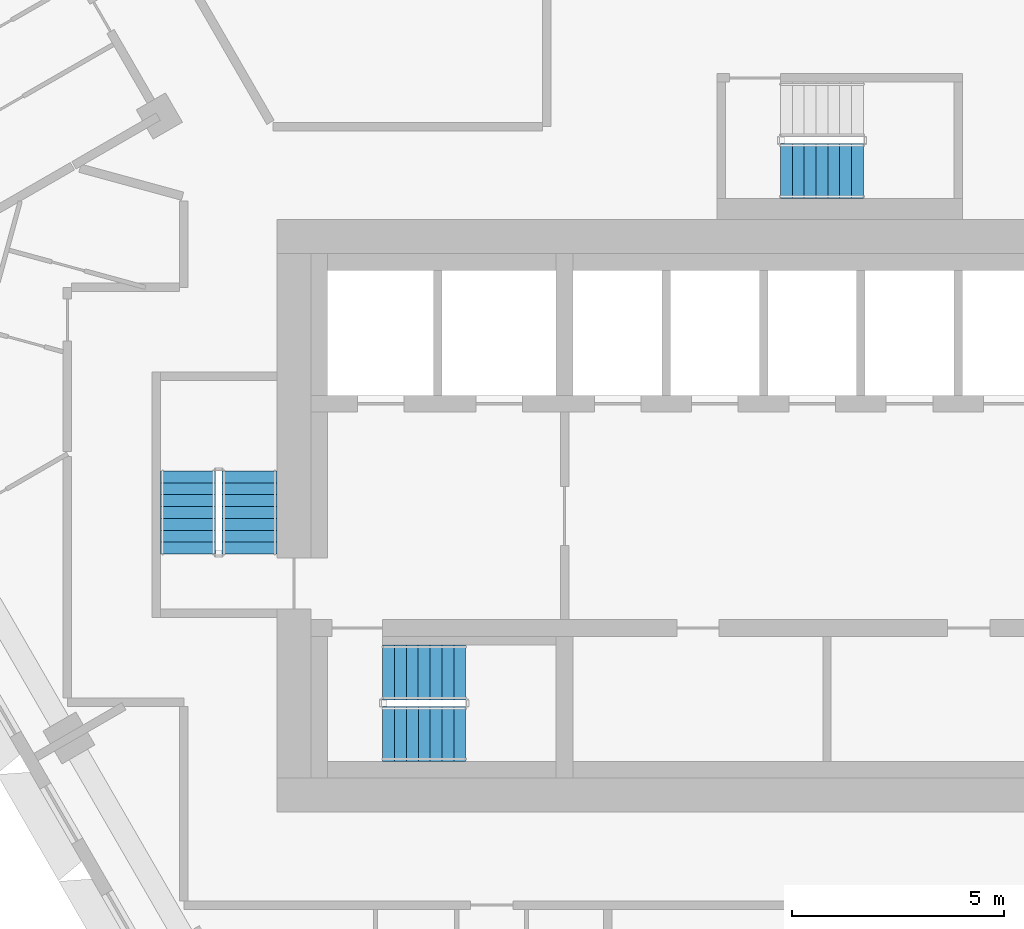
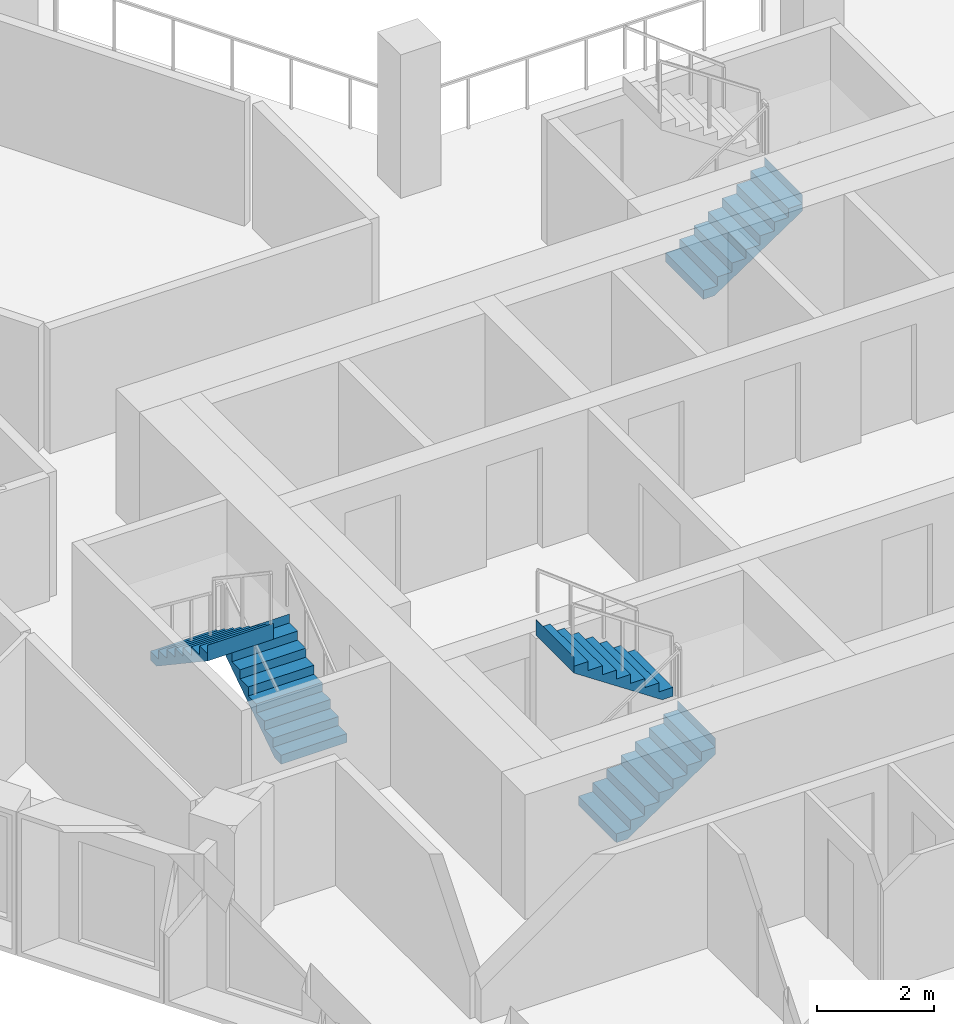
# One storey, part 12 of 17: 5 stair flights, 3 elements without a shape of their own.
"""IFC4 building model written with IfcOpenShell, lengths in metres."""

from ifc_helpers import new_model, si_unit, direction, frame, origin, place, context, subcontext, project, spatial, triangles, material, type_object, element, aggregate, save


model = new_model("IFC4")

# Units and contexts
model_context = context("Model", 3, precision=1e-05, world=origin(), true_north=direction((0.0, 1.0)))
body_context = subcontext(model_context, "Body", "Model", "MODEL_VIEW")
ifc_project = project(units=[si_unit("LENGTHUNIT", "METRE"), si_unit("AREAUNIT", "SQUARE_METRE"), si_unit("VOLUMEUNIT", "CUBIC_METRE"), si_unit("PLANEANGLEUNIT", "RADIAN"), si_unit("MASSUNIT", "GRAM", prefix="KILO")], contexts=[model_context])

# Site, building, storey
site_placement = place(None, origin())
site = spatial("IfcSite", under=ifc_project, at=site_placement, CompositionType="ELEMENT")
building_placement = place(site_placement, origin())
building = spatial("IfcBuilding", under=site, at=building_placement, Name="Beryl Residences", CompositionType="ELEMENT")
storey_placement = place(building_placement, frame((0.0, 0.0, 150.60009765625)))
storey = spatial("IfcBuildingStorey", under=building, at=storey_placement, Name="L46", CompositionType="ELEMENT", Elevation=150.60009765625)

# Stair, stair flights
ifc_material_1 = material(Name="Concrete C40/50", Category="concrete")
stair_type = type_object("IfcStairType", Name="ST1 protected exit stair, half-turn, 1300 mm flights", PredefinedType="HALF_TURN_STAIR", material=ifc_material_1)
stair_1_placement = place(storey_placement, origin())
stair_1 = element("IfcStair", 1, at=stair_1_placement, inside=storey, type_object=stair_type, Name="L46 PROTECTED EXIT STAIR ST-1", PredefinedType="HALF_TURN_STAIR")
ifc_material_2 = material(Name="Concrete C40/50", Category="concrete")
stair_flight_type = type_object("IfcStairFlightType", Name="SF1 stair flight 1300 mm", PredefinedType="STRAIGHT", material=ifc_material_2)
stair_flight_1_placement = place(storey_placement, frame((-10.800048828125, -17.14990234375, 0.0), z_axis=(0.0, 0.0, 1.0), x_axis=(1.0, 0.0, 0.0)))
stair_flight_1 = element("IfcStairFlight", 2, at=stair_flight_1_placement, type_object=stair_flight_type, Name="ST-1 flight 1", NumberOfRisers=8, NumberOfTreads=7, PredefinedType="STRAIGHT", RiserHeight=0.1875, TreadLength=0.28, context=body_context, shape_type="Tessellation", body=[
    triangles([(0.0, -0.64990234375, 0.0), (0.0, -0.324951171875, 0.0), (0.0, 0.0, 0.0), (0.0, 0.324951171875, 0.0), (0.0, 0.64990234375, 0.0), (0.0, -0.64990234375, 0.1875), (0.0, -0.324951171875, 0.1875), (0.0, 0.0, 0.1875), (0.0, 0.324951171875, 0.1875), (0.0, 0.64990234375, 0.1875), (0.280029296875, -0.64990234375, 0.1875), (0.280029296875, -0.324951171875, 0.1875), (0.280029296875, 0.0, 0.1875), (0.280029296875, 0.324951171875, 0.1875), (0.280029296875, 0.64990234375, 0.1875), (0.280029296875, -0.64990234375, 0.375), (0.280029296875, -0.324951171875, 0.375), (0.280029296875, 0.0, 0.375), (0.280029296875, 0.324951171875, 0.375), (0.280029296875, 0.64990234375, 0.375), (0.56005859375, -0.64990234375, 0.375), (0.56005859375, -0.324951171875, 0.375), (0.56005859375, 0.0, 0.375), (0.56005859375, 0.324951171875, 0.375), (0.56005859375, 0.64990234375, 0.375), (0.56005859375, -0.64990234375, 0.5625), (0.56005859375, -0.324951171875, 0.5625), (0.56005859375, 0.0, 0.5625), (0.56005859375, 0.324951171875, 0.5625), (0.56005859375, 0.64990234375, 0.5625), (0.840087890625, -0.64990234375, 0.5625), (0.840087890625, -0.324951171875, 0.5625), (0.840087890625, 0.0, 0.5625), (0.840087890625, 0.324951171875, 0.5625), (0.840087890625, 0.64990234375, 0.5625), (0.840087890625, -0.64990234375, 0.75), (0.840087890625, -0.324951171875, 0.75), (0.840087890625, 0.0, 0.75), (0.840087890625, 0.324951171875, 0.75), (0.840087890625, 0.64990234375, 0.75), (1.1201171875, -0.64990234375, 0.75), (1.1201171875, -0.324951171875, 0.75), (1.1201171875, 0.0, 0.75), (1.1201171875, 0.324951171875, 0.75), (1.1201171875, 0.64990234375, 0.75), (1.1201171875, -0.64990234375, 0.9375), (1.1201171875, -0.324951171875, 0.9375), (1.1201171875, 0.0, 0.9375), (1.1201171875, 0.324951171875, 0.9375), (1.1201171875, 0.64990234375, 0.9375), (1.39990234375, -0.64990234375, 0.9375), (1.39990234375, -0.324951171875, 0.9375), (1.39990234375, 0.0, 0.9375), (1.39990234375, 0.324951171875, 0.9375), (1.39990234375, 0.64990234375, 0.9375), (1.39990234375, -0.64990234375, 1.125), (1.39990234375, -0.324951171875, 1.125), (1.39990234375, 0.0, 1.125), (1.39990234375, 0.324951171875, 1.125), (1.39990234375, 0.64990234375, 1.125), (1.679931640625, -0.64990234375, 1.125), (1.679931640625, -0.324951171875, 1.125), (1.679931640625, 0.0, 1.125), (1.679931640625, 0.324951171875, 1.125), (1.679931640625, 0.64990234375, 1.125), (1.679931640625, -0.64990234375, 1.3125), (1.679931640625, -0.324951171875, 1.3125), (1.679931640625, 0.0, 1.3125), (1.679931640625, 0.324951171875, 1.3125), (1.679931640625, 0.64990234375, 1.3125), (1.9599609375, -0.64990234375, 1.3125), (1.9599609375, -0.324951171875, 1.3125), (1.9599609375, 0.0, 1.3125), (1.9599609375, 0.324951171875, 1.3125), (1.9599609375, 0.64990234375, 1.3125), (1.9599609375, -0.64990234375, 1.5), (1.9599609375, -0.324951171875, 1.5), (1.9599609375, 0.0, 1.5), (1.9599609375, 0.324951171875, 1.5), (1.9599609375, 0.64990234375, 1.5), (1.9609375, -0.64990234375, 1.5), (1.9609375, -0.324951171875, 1.5), (1.9609375, 0.0, 1.5), (1.9609375, 0.324951171875, 1.5), (1.9609375, 0.64990234375, 1.5), (1.9609375, -0.64990234375, 1.16796875), (1.9609375, -0.324951171875, 1.16796875), (1.9609375, 0.0, 1.16796875), (1.9609375, 0.324951171875, 1.16796875), (1.9609375, 0.64990234375, 1.16796875), (0.216796875, -0.64990234375, 0.0), (0.216796875, -0.324951171875, 0.0), (0.216796875, 0.0, 0.0), (0.216796875, 0.324951171875, 0.0), (0.216796875, 0.64990234375, 0.0)], [[1, 6, 7], [1, 7, 2], [2, 7, 8], [2, 8, 3], [3, 8, 9], [3, 9, 4], [4, 9, 10], [4, 10, 5], [6, 11, 12], [6, 12, 7], [7, 12, 13], [7, 13, 8], [8, 13, 14], [8, 14, 9], [9, 14, 15], [9, 15, 10], [11, 16, 17], [11, 17, 12], [12, 17, 18], [12, 18, 13], [13, 18, 19], [13, 19, 14], [14, 19, 20], [14, 20, 15], [16, 21, 22], [16, 22, 17], [17, 22, 23], [17, 23, 18], [18, 23, 24], [18, 24, 19], [19, 24, 25], [19, 25, 20], [21, 26, 27], [21, 27, 22], [22, 27, 28], [22, 28, 23], [23, 28, 29], [23, 29, 24], [24, 29, 30], [24, 30, 25], [26, 31, 32], [26, 32, 27], [27, 32, 33], [27, 33, 28], [28, 33, 34], [28, 34, 29], [29, 34, 35], [29, 35, 30], [31, 36, 37], [31, 37, 32], [32, 37, 38], [32, 38, 33], [33, 38, 39], [33, 39, 34], [34, 39, 40], [34, 40, 35], [36, 41, 42], [36, 42, 37], [37, 42, 43], [37, 43, 38], [38, 43, 44], [38, 44, 39], [39, 44, 45], [39, 45, 40], [41, 46, 47], [41, 47, 42], [42, 47, 48], [42, 48, 43], [43, 48, 49], [43, 49, 44], [44, 49, 50], [44, 50, 45], [46, 51, 52], [46, 52, 47], [47, 52, 53], [47, 53, 48], [48, 53, 54], [48, 54, 49], [49, 54, 55], [49, 55, 50], [51, 56, 57], [51, 57, 52], [52, 57, 58], [52, 58, 53], [53, 58, 59], [53, 59, 54], [54, 59, 60], [54, 60, 55], [56, 61, 62], [56, 62, 57], [57, 62, 63], [57, 63, 58], [58, 63, 64], [58, 64, 59], [59, 64, 65], [59, 65, 60], [61, 66, 67], [61, 67, 62], [62, 67, 68], [62, 68, 63], [63, 68, 69], [63, 69, 64], [64, 69, 70], [64, 70, 65], [66, 71, 72], [66, 72, 67], [67, 72, 73], [67, 73, 68], [68, 73, 74], [68, 74, 69], [69, 74, 75], [69, 75, 70], [71, 76, 77], [71, 77, 72], [72, 77, 78], [72, 78, 73], [73, 78, 79], [73, 79, 74], [74, 79, 80], [74, 80, 75], [76, 81, 82], [76, 82, 77], [77, 82, 83], [77, 83, 78], [78, 83, 84], [78, 84, 79], [79, 84, 85], [79, 85, 80], [81, 86, 87], [81, 87, 82], [82, 87, 88], [82, 88, 83], [83, 88, 89], [83, 89, 84], [84, 89, 90], [84, 90, 85], [86, 91, 92], [86, 92, 87], [87, 92, 93], [87, 93, 88], [88, 93, 94], [88, 94, 89], [89, 94, 95], [89, 95, 90], [91, 1, 2], [91, 2, 92], [92, 2, 3], [92, 3, 93], [93, 3, 4], [93, 4, 94], [94, 4, 5], [94, 5, 95], [1, 91, 86], [5, 90, 95], [86, 81, 76], [90, 80, 85], [86, 76, 71], [90, 75, 80], [86, 71, 66], [90, 70, 75], [86, 66, 61], [90, 65, 70], [61, 56, 51], [65, 55, 60], [86, 61, 51], [90, 55, 65], [51, 46, 41], [55, 45, 50], [86, 51, 41], [90, 45, 55], [41, 36, 31], [45, 35, 40], [86, 41, 31], [90, 35, 45], [31, 26, 21], [35, 25, 30], [86, 31, 21], [90, 25, 35], [21, 16, 11], [25, 15, 20], [86, 21, 11], [90, 15, 25], [1, 86, 11], [5, 15, 90], [11, 6, 1], [15, 5, 10]], closed=True),
])
stair_flight_2_placement = place(storey_placement, frame((-8.840087890625, -15.699951171875, 1.5), z_axis=(0.0, 0.0, 1.0), x_axis=(-1.0, 0.0, 0.0)))
stair_flight_2 = element("IfcStairFlight", 3, at=stair_flight_2_placement, type_object=stair_flight_type, Name="ST-1 flight 2", NumberOfRisers=8, NumberOfTreads=7, PredefinedType="STRAIGHT", RiserHeight=0.1875, TreadLength=0.28, context=body_context, shape_type="Tessellation", body=[
    triangles([(0.0, -0.64990234375, 0.0), (0.0, -0.324951171875, 0.0), (0.0, 0.0, 0.0), (0.0, 0.324951171875, 0.0), (0.0, 0.64990234375, 0.0), (0.0, -0.64990234375, 0.1875), (0.0, -0.324951171875, 0.1875), (0.0, 0.0, 0.1875), (0.0, 0.324951171875, 0.1875), (0.0, 0.64990234375, 0.1875), (0.280029296875, -0.64990234375, 0.1875), (0.280029296875, -0.324951171875, 0.1875), (0.280029296875, 0.0, 0.1875), (0.280029296875, 0.324951171875, 0.1875), (0.280029296875, 0.64990234375, 0.1875), (0.280029296875, -0.64990234375, 0.375), (0.280029296875, -0.324951171875, 0.375), (0.280029296875, 0.0, 0.375), (0.280029296875, 0.324951171875, 0.375), (0.280029296875, 0.64990234375, 0.375), (0.56005859375, -0.64990234375, 0.375), (0.56005859375, -0.324951171875, 0.375), (0.56005859375, 0.0, 0.375), (0.56005859375, 0.324951171875, 0.375), (0.56005859375, 0.64990234375, 0.375), (0.56005859375, -0.64990234375, 0.5625), (0.56005859375, -0.324951171875, 0.5625), (0.56005859375, 0.0, 0.5625), (0.56005859375, 0.324951171875, 0.5625), (0.56005859375, 0.64990234375, 0.5625), (0.840087890625, -0.64990234375, 0.5625), (0.840087890625, -0.324951171875, 0.5625), (0.840087890625, 0.0, 0.5625), (0.840087890625, 0.324951171875, 0.5625), (0.840087890625, 0.64990234375, 0.5625), (0.840087890625, -0.64990234375, 0.75), (0.840087890625, -0.324951171875, 0.75), (0.840087890625, 0.0, 0.75), (0.840087890625, 0.324951171875, 0.75), (0.840087890625, 0.64990234375, 0.75), (1.1201171875, -0.64990234375, 0.75), (1.1201171875, -0.324951171875, 0.75), (1.1201171875, 0.0, 0.75), (1.1201171875, 0.324951171875, 0.75), (1.1201171875, 0.64990234375, 0.75), (1.1201171875, -0.64990234375, 0.9375), (1.1201171875, -0.324951171875, 0.9375), (1.1201171875, 0.0, 0.9375), (1.1201171875, 0.324951171875, 0.9375), (1.1201171875, 0.64990234375, 0.9375), (1.39990234375, -0.64990234375, 0.9375), (1.39990234375, -0.324951171875, 0.9375), (1.39990234375, 0.0, 0.9375), (1.39990234375, 0.324951171875, 0.9375), (1.39990234375, 0.64990234375, 0.9375), (1.39990234375, -0.64990234375, 1.125), (1.39990234375, -0.324951171875, 1.125), (1.39990234375, 0.0, 1.125), (1.39990234375, 0.324951171875, 1.125), (1.39990234375, 0.64990234375, 1.125), (1.679931640625, -0.64990234375, 1.125), (1.679931640625, -0.324951171875, 1.125), (1.679931640625, 0.0, 1.125), (1.679931640625, 0.324951171875, 1.125), (1.679931640625, 0.64990234375, 1.125), (1.679931640625, -0.64990234375, 1.3125), (1.679931640625, -0.324951171875, 1.3125), (1.679931640625, 0.0, 1.3125), (1.679931640625, 0.324951171875, 1.3125), (1.679931640625, 0.64990234375, 1.3125), (1.9599609375, -0.64990234375, 1.3125), (1.9599609375, -0.324951171875, 1.3125), (1.9599609375, 0.0, 1.3125), (1.9599609375, 0.324951171875, 1.3125), (1.9599609375, 0.64990234375, 1.3125), (1.9599609375, -0.64990234375, 1.5), (1.9599609375, -0.324951171875, 1.5), (1.9599609375, 0.0, 1.5), (1.9599609375, 0.324951171875, 1.5), (1.9599609375, 0.64990234375, 1.5), (1.9609375, -0.64990234375, 1.5), (1.9609375, -0.324951171875, 1.5), (1.9609375, 0.0, 1.5), (1.9609375, 0.324951171875, 1.5), (1.9609375, 0.64990234375, 1.5), (1.9609375, -0.64990234375, 1.16796875), (1.9609375, -0.324951171875, 1.16796875), (1.9609375, 0.0, 1.16796875), (1.9609375, 0.324951171875, 1.16796875), (1.9609375, 0.64990234375, 1.16796875), (0.216796875, -0.64990234375, 0.0), (0.216796875, -0.324951171875, 0.0), (0.216796875, 0.0, 0.0), (0.216796875, 0.324951171875, 0.0), (0.216796875, 0.64990234375, 0.0)], [[1, 6, 7], [1, 7, 2], [2, 7, 8], [2, 8, 3], [3, 8, 9], [3, 9, 4], [4, 9, 10], [4, 10, 5], [6, 11, 12], [6, 12, 7], [7, 12, 13], [7, 13, 8], [8, 13, 14], [8, 14, 9], [9, 14, 15], [9, 15, 10], [11, 16, 17], [11, 17, 12], [12, 17, 18], [12, 18, 13], [13, 18, 19], [13, 19, 14], [14, 19, 20], [14, 20, 15], [16, 21, 22], [16, 22, 17], [17, 22, 23], [17, 23, 18], [18, 23, 24], [18, 24, 19], [19, 24, 25], [19, 25, 20], [21, 26, 27], [21, 27, 22], [22, 27, 28], [22, 28, 23], [23, 28, 29], [23, 29, 24], [24, 29, 30], [24, 30, 25], [26, 31, 32], [26, 32, 27], [27, 32, 33], [27, 33, 28], [28, 33, 34], [28, 34, 29], [29, 34, 35], [29, 35, 30], [31, 36, 37], [31, 37, 32], [32, 37, 38], [32, 38, 33], [33, 38, 39], [33, 39, 34], [34, 39, 40], [34, 40, 35], [36, 41, 42], [36, 42, 37], [37, 42, 43], [37, 43, 38], [38, 43, 44], [38, 44, 39], [39, 44, 45], [39, 45, 40], [41, 46, 47], [41, 47, 42], [42, 47, 48], [42, 48, 43], [43, 48, 49], [43, 49, 44], [44, 49, 50], [44, 50, 45], [46, 51, 52], [46, 52, 47], [47, 52, 53], [47, 53, 48], [48, 53, 54], [48, 54, 49], [49, 54, 55], [49, 55, 50], [51, 56, 57], [51, 57, 52], [52, 57, 58], [52, 58, 53], [53, 58, 59], [53, 59, 54], [54, 59, 60], [54, 60, 55], [56, 61, 62], [56, 62, 57], [57, 62, 63], [57, 63, 58], [58, 63, 64], [58, 64, 59], [59, 64, 65], [59, 65, 60], [61, 66, 67], [61, 67, 62], [62, 67, 68], [62, 68, 63], [63, 68, 69], [63, 69, 64], [64, 69, 70], [64, 70, 65], [66, 71, 72], [66, 72, 67], [67, 72, 73], [67, 73, 68], [68, 73, 74], [68, 74, 69], [69, 74, 75], [69, 75, 70], [71, 76, 77], [71, 77, 72], [72, 77, 78], [72, 78, 73], [73, 78, 79], [73, 79, 74], [74, 79, 80], [74, 80, 75], [76, 81, 82], [76, 82, 77], [77, 82, 83], [77, 83, 78], [78, 83, 84], [78, 84, 79], [79, 84, 85], [79, 85, 80], [81, 86, 87], [81, 87, 82], [82, 87, 88], [82, 88, 83], [83, 88, 89], [83, 89, 84], [84, 89, 90], [84, 90, 85], [86, 91, 92], [86, 92, 87], [87, 92, 93], [87, 93, 88], [88, 93, 94], [88, 94, 89], [89, 94, 95], [89, 95, 90], [91, 1, 2], [91, 2, 92], [92, 2, 3], [92, 3, 93], [93, 3, 4], [93, 4, 94], [94, 4, 5], [94, 5, 95], [1, 91, 86], [5, 90, 95], [86, 81, 76], [90, 80, 85], [86, 76, 71], [90, 75, 80], [86, 71, 66], [90, 70, 75], [86, 66, 61], [90, 65, 70], [61, 56, 51], [65, 55, 60], [86, 61, 51], [90, 55, 65], [51, 46, 41], [55, 45, 50], [86, 51, 41], [90, 45, 55], [41, 36, 31], [45, 35, 40], [86, 41, 31], [90, 35, 45], [31, 26, 21], [35, 25, 30], [86, 31, 21], [90, 25, 35], [21, 16, 11], [25, 15, 20], [86, 21, 11], [90, 15, 25], [1, 86, 11], [5, 15, 90], [11, 6, 1], [15, 5, 10]], closed=True),
])
aggregate(stair_1, [stair_flight_1, stair_flight_2])

stair_2_placement = place(storey_placement, origin())
stair_2 = element("IfcStair", 4, at=stair_2_placement, inside=storey, type_object=stair_type, Name="L46 PROTECTED EXIT STAIR ST-2", PredefinedType="HALF_TURN_STAIR")
stair_flight_3_placement = place(storey_placement, frame((-13.949951171875, -12.89990234375, 0.0), z_axis=(0.0, 0.0, 1.0), x_axis=(0.0, 1.0, 0.0)))
stair_flight_3 = element("IfcStairFlight", 5, at=stair_flight_3_placement, type_object=stair_flight_type, Name="ST-2 flight 1", NumberOfRisers=8, NumberOfTreads=7, PredefinedType="STRAIGHT", RiserHeight=0.1875, TreadLength=0.28, context=body_context, shape_type="Tessellation", body=[
    triangles([(0.0, -0.64990234375, 0.0), (0.0, -0.324951171875, 0.0), (0.0, 0.0, 0.0), (0.0, 0.324951171875, 0.0), (0.0, 0.64990234375, 0.0), (0.0, -0.64990234375, 0.1875), (0.0, -0.324951171875, 0.1875), (0.0, 0.0, 0.1875), (0.0, 0.324951171875, 0.1875), (0.0, 0.64990234375, 0.1875), (0.280029296875, -0.64990234375, 0.1875), (0.280029296875, -0.324951171875, 0.1875), (0.280029296875, 0.0, 0.1875), (0.280029296875, 0.324951171875, 0.1875), (0.280029296875, 0.64990234375, 0.1875), (0.280029296875, -0.64990234375, 0.375), (0.280029296875, -0.324951171875, 0.375), (0.280029296875, 0.0, 0.375), (0.280029296875, 0.324951171875, 0.375), (0.280029296875, 0.64990234375, 0.375), (0.56005859375, -0.64990234375, 0.375), (0.56005859375, -0.324951171875, 0.375), (0.56005859375, 0.0, 0.375), (0.56005859375, 0.324951171875, 0.375), (0.56005859375, 0.64990234375, 0.375), (0.56005859375, -0.64990234375, 0.5625), (0.56005859375, -0.324951171875, 0.5625), (0.56005859375, 0.0, 0.5625), (0.56005859375, 0.324951171875, 0.5625), (0.56005859375, 0.64990234375, 0.5625), (0.840087890625, -0.64990234375, 0.5625), (0.840087890625, -0.324951171875, 0.5625), (0.840087890625, 0.0, 0.5625), (0.840087890625, 0.324951171875, 0.5625), (0.840087890625, 0.64990234375, 0.5625), (0.840087890625, -0.64990234375, 0.75), (0.840087890625, -0.324951171875, 0.75), (0.840087890625, 0.0, 0.75), (0.840087890625, 0.324951171875, 0.75), (0.840087890625, 0.64990234375, 0.75), (1.1201171875, -0.64990234375, 0.75), (1.1201171875, -0.324951171875, 0.75), (1.1201171875, 0.0, 0.75), (1.1201171875, 0.324951171875, 0.75), (1.1201171875, 0.64990234375, 0.75), (1.1201171875, -0.64990234375, 0.9375), (1.1201171875, -0.324951171875, 0.9375), (1.1201171875, 0.0, 0.9375), (1.1201171875, 0.324951171875, 0.9375), (1.1201171875, 0.64990234375, 0.9375), (1.39990234375, -0.64990234375, 0.9375), (1.39990234375, -0.324951171875, 0.9375), (1.39990234375, 0.0, 0.9375), (1.39990234375, 0.324951171875, 0.9375), (1.39990234375, 0.64990234375, 0.9375), (1.39990234375, -0.64990234375, 1.125), (1.39990234375, -0.324951171875, 1.125), (1.39990234375, 0.0, 1.125), (1.39990234375, 0.324951171875, 1.125), (1.39990234375, 0.64990234375, 1.125), (1.679931640625, -0.64990234375, 1.125), (1.679931640625, -0.324951171875, 1.125), (1.679931640625, 0.0, 1.125), (1.679931640625, 0.324951171875, 1.125), (1.679931640625, 0.64990234375, 1.125), (1.679931640625, -0.64990234375, 1.3125), (1.679931640625, -0.324951171875, 1.3125), (1.679931640625, 0.0, 1.3125), (1.679931640625, 0.324951171875, 1.3125), (1.679931640625, 0.64990234375, 1.3125), (1.9599609375, -0.64990234375, 1.3125), (1.9599609375, -0.324951171875, 1.3125), (1.9599609375, 0.0, 1.3125), (1.9599609375, 0.324951171875, 1.3125), (1.9599609375, 0.64990234375, 1.3125), (1.9599609375, -0.64990234375, 1.5), (1.9599609375, -0.324951171875, 1.5), (1.9599609375, 0.0, 1.5), (1.9599609375, 0.324951171875, 1.5), (1.9599609375, 0.64990234375, 1.5), (1.9609375, -0.64990234375, 1.5), (1.9609375, -0.324951171875, 1.5), (1.9609375, 0.0, 1.5), (1.9609375, 0.324951171875, 1.5), (1.9609375, 0.64990234375, 1.5), (1.9609375, -0.64990234375, 1.16796875), (1.9609375, -0.324951171875, 1.16796875), (1.9609375, 0.0, 1.16796875), (1.9609375, 0.324951171875, 1.16796875), (1.9609375, 0.64990234375, 1.16796875), (0.216796875, -0.64990234375, 0.0), (0.216796875, -0.324951171875, 0.0), (0.216796875, 0.0, 0.0), (0.216796875, 0.324951171875, 0.0), (0.216796875, 0.64990234375, 0.0)], [[1, 6, 7], [1, 7, 2], [2, 7, 8], [2, 8, 3], [3, 8, 9], [3, 9, 4], [4, 9, 10], [4, 10, 5], [6, 11, 12], [6, 12, 7], [7, 12, 13], [7, 13, 8], [8, 13, 14], [8, 14, 9], [9, 14, 15], [9, 15, 10], [11, 16, 17], [11, 17, 12], [12, 17, 18], [12, 18, 13], [13, 18, 19], [13, 19, 14], [14, 19, 20], [14, 20, 15], [16, 21, 22], [16, 22, 17], [17, 22, 23], [17, 23, 18], [18, 23, 24], [18, 24, 19], [19, 24, 25], [19, 25, 20], [21, 26, 27], [21, 27, 22], [22, 27, 28], [22, 28, 23], [23, 28, 29], [23, 29, 24], [24, 29, 30], [24, 30, 25], [26, 31, 32], [26, 32, 27], [27, 32, 33], [27, 33, 28], [28, 33, 34], [28, 34, 29], [29, 34, 35], [29, 35, 30], [31, 36, 37], [31, 37, 32], [32, 37, 38], [32, 38, 33], [33, 38, 39], [33, 39, 34], [34, 39, 40], [34, 40, 35], [36, 41, 42], [36, 42, 37], [37, 42, 43], [37, 43, 38], [38, 43, 44], [38, 44, 39], [39, 44, 45], [39, 45, 40], [41, 46, 47], [41, 47, 42], [42, 47, 48], [42, 48, 43], [43, 48, 49], [43, 49, 44], [44, 49, 50], [44, 50, 45], [46, 51, 52], [46, 52, 47], [47, 52, 53], [47, 53, 48], [48, 53, 54], [48, 54, 49], [49, 54, 55], [49, 55, 50], [51, 56, 57], [51, 57, 52], [52, 57, 58], [52, 58, 53], [53, 58, 59], [53, 59, 54], [54, 59, 60], [54, 60, 55], [56, 61, 62], [56, 62, 57], [57, 62, 63], [57, 63, 58], [58, 63, 64], [58, 64, 59], [59, 64, 65], [59, 65, 60], [61, 66, 67], [61, 67, 62], [62, 67, 68], [62, 68, 63], [63, 68, 69], [63, 69, 64], [64, 69, 70], [64, 70, 65], [66, 71, 72], [66, 72, 67], [67, 72, 73], [67, 73, 68], [68, 73, 74], [68, 74, 69], [69, 74, 75], [69, 75, 70], [71, 76, 77], [71, 77, 72], [72, 77, 78], [72, 78, 73], [73, 78, 79], [73, 79, 74], [74, 79, 80], [74, 80, 75], [76, 81, 82], [76, 82, 77], [77, 82, 83], [77, 83, 78], [78, 83, 84], [78, 84, 79], [79, 84, 85], [79, 85, 80], [81, 86, 87], [81, 87, 82], [82, 87, 88], [82, 88, 83], [83, 88, 89], [83, 89, 84], [84, 89, 90], [84, 90, 85], [86, 91, 92], [86, 92, 87], [87, 92, 93], [87, 93, 88], [88, 93, 94], [88, 94, 89], [89, 94, 95], [89, 95, 90], [91, 1, 2], [91, 2, 92], [92, 2, 3], [92, 3, 93], [93, 3, 4], [93, 4, 94], [94, 4, 5], [94, 5, 95], [1, 91, 86], [5, 90, 95], [86, 81, 76], [90, 80, 85], [86, 76, 71], [90, 75, 80], [86, 71, 66], [90, 70, 75], [86, 66, 61], [90, 65, 70], [61, 56, 51], [65, 55, 60], [86, 61, 51], [90, 55, 65], [51, 46, 41], [55, 45, 50], [86, 51, 41], [90, 45, 55], [41, 36, 31], [45, 35, 40], [86, 41, 31], [90, 35, 45], [31, 26, 21], [35, 25, 30], [86, 31, 21], [90, 25, 35], [21, 16, 11], [25, 15, 20], [86, 21, 11], [90, 15, 25], [1, 86, 11], [5, 15, 90], [11, 6, 1], [15, 5, 10]], closed=True),
])
stair_flight_4_placement = place(storey_placement, frame((-15.39990234375, -10.93994140625, 1.5), z_axis=(0.0, 0.0, 1.0), x_axis=(0.0, -1.0, 0.0)))
stair_flight_4 = element("IfcStairFlight", 6, at=stair_flight_4_placement, type_object=stair_flight_type, Name="ST-2 flight 2", NumberOfRisers=8, NumberOfTreads=7, PredefinedType="STRAIGHT", RiserHeight=0.1875, TreadLength=0.28, context=body_context, shape_type="Tessellation", body=[
    triangles([(0.0, -0.64990234375, 0.0), (0.0, -0.324951171875, 0.0), (0.0, 0.0, 0.0), (0.0, 0.324951171875, 0.0), (0.0, 0.64990234375, 0.0), (0.0, -0.64990234375, 0.1875), (0.0, -0.324951171875, 0.1875), (0.0, 0.0, 0.1875), (0.0, 0.324951171875, 0.1875), (0.0, 0.64990234375, 0.1875), (0.280029296875, -0.64990234375, 0.1875), (0.280029296875, -0.324951171875, 0.1875), (0.280029296875, 0.0, 0.1875), (0.280029296875, 0.324951171875, 0.1875), (0.280029296875, 0.64990234375, 0.1875), (0.280029296875, -0.64990234375, 0.375), (0.280029296875, -0.324951171875, 0.375), (0.280029296875, 0.0, 0.375), (0.280029296875, 0.324951171875, 0.375), (0.280029296875, 0.64990234375, 0.375), (0.56005859375, -0.64990234375, 0.375), (0.56005859375, -0.324951171875, 0.375), (0.56005859375, 0.0, 0.375), (0.56005859375, 0.324951171875, 0.375), (0.56005859375, 0.64990234375, 0.375), (0.56005859375, -0.64990234375, 0.5625), (0.56005859375, -0.324951171875, 0.5625), (0.56005859375, 0.0, 0.5625), (0.56005859375, 0.324951171875, 0.5625), (0.56005859375, 0.64990234375, 0.5625), (0.840087890625, -0.64990234375, 0.5625), (0.840087890625, -0.324951171875, 0.5625), (0.840087890625, 0.0, 0.5625), (0.840087890625, 0.324951171875, 0.5625), (0.840087890625, 0.64990234375, 0.5625), (0.840087890625, -0.64990234375, 0.75), (0.840087890625, -0.324951171875, 0.75), (0.840087890625, 0.0, 0.75), (0.840087890625, 0.324951171875, 0.75), (0.840087890625, 0.64990234375, 0.75), (1.1201171875, -0.64990234375, 0.75), (1.1201171875, -0.324951171875, 0.75), (1.1201171875, 0.0, 0.75), (1.1201171875, 0.324951171875, 0.75), (1.1201171875, 0.64990234375, 0.75), (1.1201171875, -0.64990234375, 0.9375), (1.1201171875, -0.324951171875, 0.9375), (1.1201171875, 0.0, 0.9375), (1.1201171875, 0.324951171875, 0.9375), (1.1201171875, 0.64990234375, 0.9375), (1.39990234375, -0.64990234375, 0.9375), (1.39990234375, -0.324951171875, 0.9375), (1.39990234375, 0.0, 0.9375), (1.39990234375, 0.324951171875, 0.9375), (1.39990234375, 0.64990234375, 0.9375), (1.39990234375, -0.64990234375, 1.125), (1.39990234375, -0.324951171875, 1.125), (1.39990234375, 0.0, 1.125), (1.39990234375, 0.324951171875, 1.125), (1.39990234375, 0.64990234375, 1.125), (1.679931640625, -0.64990234375, 1.125), (1.679931640625, -0.324951171875, 1.125), (1.679931640625, 0.0, 1.125), (1.679931640625, 0.324951171875, 1.125), (1.679931640625, 0.64990234375, 1.125), (1.679931640625, -0.64990234375, 1.3125), (1.679931640625, -0.324951171875, 1.3125), (1.679931640625, 0.0, 1.3125), (1.679931640625, 0.324951171875, 1.3125), (1.679931640625, 0.64990234375, 1.3125), (1.9599609375, -0.64990234375, 1.3125), (1.9599609375, -0.324951171875, 1.3125), (1.9599609375, 0.0, 1.3125), (1.9599609375, 0.324951171875, 1.3125), (1.9599609375, 0.64990234375, 1.3125), (1.9599609375, -0.64990234375, 1.5), (1.9599609375, -0.324951171875, 1.5), (1.9599609375, 0.0, 1.5), (1.9599609375, 0.324951171875, 1.5), (1.9599609375, 0.64990234375, 1.5), (1.9609375, -0.64990234375, 1.5), (1.9609375, -0.324951171875, 1.5), (1.9609375, 0.0, 1.5), (1.9609375, 0.324951171875, 1.5), (1.9609375, 0.64990234375, 1.5), (1.9609375, -0.64990234375, 1.16796875), (1.9609375, -0.324951171875, 1.16796875), (1.9609375, 0.0, 1.16796875), (1.9609375, 0.324951171875, 1.16796875), (1.9609375, 0.64990234375, 1.16796875), (0.216796875, -0.64990234375, 0.0), (0.216796875, -0.324951171875, 0.0), (0.216796875, 0.0, 0.0), (0.216796875, 0.324951171875, 0.0), (0.216796875, 0.64990234375, 0.0)], [[1, 6, 7], [1, 7, 2], [2, 7, 8], [2, 8, 3], [3, 8, 9], [3, 9, 4], [4, 9, 10], [4, 10, 5], [6, 11, 12], [6, 12, 7], [7, 12, 13], [7, 13, 8], [8, 13, 14], [8, 14, 9], [9, 14, 15], [9, 15, 10], [11, 16, 17], [11, 17, 12], [12, 17, 18], [12, 18, 13], [13, 18, 19], [13, 19, 14], [14, 19, 20], [14, 20, 15], [16, 21, 22], [16, 22, 17], [17, 22, 23], [17, 23, 18], [18, 23, 24], [18, 24, 19], [19, 24, 25], [19, 25, 20], [21, 26, 27], [21, 27, 22], [22, 27, 28], [22, 28, 23], [23, 28, 29], [23, 29, 24], [24, 29, 30], [24, 30, 25], [26, 31, 32], [26, 32, 27], [27, 32, 33], [27, 33, 28], [28, 33, 34], [28, 34, 29], [29, 34, 35], [29, 35, 30], [31, 36, 37], [31, 37, 32], [32, 37, 38], [32, 38, 33], [33, 38, 39], [33, 39, 34], [34, 39, 40], [34, 40, 35], [36, 41, 42], [36, 42, 37], [37, 42, 43], [37, 43, 38], [38, 43, 44], [38, 44, 39], [39, 44, 45], [39, 45, 40], [41, 46, 47], [41, 47, 42], [42, 47, 48], [42, 48, 43], [43, 48, 49], [43, 49, 44], [44, 49, 50], [44, 50, 45], [46, 51, 52], [46, 52, 47], [47, 52, 53], [47, 53, 48], [48, 53, 54], [48, 54, 49], [49, 54, 55], [49, 55, 50], [51, 56, 57], [51, 57, 52], [52, 57, 58], [52, 58, 53], [53, 58, 59], [53, 59, 54], [54, 59, 60], [54, 60, 55], [56, 61, 62], [56, 62, 57], [57, 62, 63], [57, 63, 58], [58, 63, 64], [58, 64, 59], [59, 64, 65], [59, 65, 60], [61, 66, 67], [61, 67, 62], [62, 67, 68], [62, 68, 63], [63, 68, 69], [63, 69, 64], [64, 69, 70], [64, 70, 65], [66, 71, 72], [66, 72, 67], [67, 72, 73], [67, 73, 68], [68, 73, 74], [68, 74, 69], [69, 74, 75], [69, 75, 70], [71, 76, 77], [71, 77, 72], [72, 77, 78], [72, 78, 73], [73, 78, 79], [73, 79, 74], [74, 79, 80], [74, 80, 75], [76, 81, 82], [76, 82, 77], [77, 82, 83], [77, 83, 78], [78, 83, 84], [78, 84, 79], [79, 84, 85], [79, 85, 80], [81, 86, 87], [81, 87, 82], [82, 87, 88], [82, 88, 83], [83, 88, 89], [83, 89, 84], [84, 89, 90], [84, 90, 85], [86, 91, 92], [86, 92, 87], [87, 92, 93], [87, 93, 88], [88, 93, 94], [88, 94, 89], [89, 94, 95], [89, 95, 90], [91, 1, 2], [91, 2, 92], [92, 2, 3], [92, 3, 93], [93, 3, 4], [93, 4, 94], [94, 4, 5], [94, 5, 95], [1, 91, 86], [5, 90, 95], [86, 81, 76], [90, 80, 85], [86, 76, 71], [90, 75, 80], [86, 71, 66], [90, 70, 75], [86, 66, 61], [90, 65, 70], [61, 56, 51], [65, 55, 60], [86, 61, 51], [90, 55, 65], [51, 46, 41], [55, 45, 50], [86, 51, 41], [90, 45, 55], [41, 36, 31], [45, 35, 40], [86, 41, 31], [90, 35, 45], [31, 26, 21], [35, 25, 30], [86, 31, 21], [90, 25, 35], [21, 16, 11], [25, 15, 20], [86, 21, 11], [90, 15, 25], [1, 86, 11], [5, 15, 90], [11, 6, 1], [15, 5, 10]], closed=True),
])
aggregate(stair_2, [stair_flight_3, stair_flight_4])

# Stair, stair flight
stair_3_placement = place(storey_placement, origin())
stair_3 = element("IfcStair", 7, at=stair_3_placement, inside=storey, type_object=stair_type, Name="L46 PROTECTED EXIT STAIR ST-4", PredefinedType="HALF_TURN_STAIR")
stair_flight_5_placement = place(storey_placement, frame((-1.39990234375, -3.85009765625, 0.0), z_axis=(0.0, 0.0, 1.0), x_axis=(1.0, 0.0, 0.0)))
stair_flight_5 = element("IfcStairFlight", 8, at=stair_flight_5_placement, type_object=stair_flight_type, Name="ST-4 flight 1", NumberOfRisers=8, NumberOfTreads=7, PredefinedType="STRAIGHT", RiserHeight=0.1875, TreadLength=0.28, context=body_context, shape_type="Tessellation", body=[
    triangles([(0.0, -0.64990234375, 0.0), (0.0, -0.324951171875, 0.0), (0.0, 0.0, 0.0), (0.0, 0.324951171875, 0.0), (0.0, 0.64990234375, 0.0), (0.0, -0.64990234375, 0.1875), (0.0, -0.324951171875, 0.1875), (0.0, 0.0, 0.1875), (0.0, 0.324951171875, 0.1875), (0.0, 0.64990234375, 0.1875), (0.280029296875, -0.64990234375, 0.1875), (0.280029296875, -0.324951171875, 0.1875), (0.280029296875, 0.0, 0.1875), (0.280029296875, 0.324951171875, 0.1875), (0.280029296875, 0.64990234375, 0.1875), (0.280029296875, -0.64990234375, 0.375), (0.280029296875, -0.324951171875, 0.375), (0.280029296875, 0.0, 0.375), (0.280029296875, 0.324951171875, 0.375), (0.280029296875, 0.64990234375, 0.375), (0.56005859375, -0.64990234375, 0.375), (0.56005859375, -0.324951171875, 0.375), (0.56005859375, 0.0, 0.375), (0.56005859375, 0.324951171875, 0.375), (0.56005859375, 0.64990234375, 0.375), (0.56005859375, -0.64990234375, 0.5625), (0.56005859375, -0.324951171875, 0.5625), (0.56005859375, 0.0, 0.5625), (0.56005859375, 0.324951171875, 0.5625), (0.56005859375, 0.64990234375, 0.5625), (0.840087890625, -0.64990234375, 0.5625), (0.840087890625, -0.324951171875, 0.5625), (0.840087890625, 0.0, 0.5625), (0.840087890625, 0.324951171875, 0.5625), (0.840087890625, 0.64990234375, 0.5625), (0.840087890625, -0.64990234375, 0.75), (0.840087890625, -0.324951171875, 0.75), (0.840087890625, 0.0, 0.75), (0.840087890625, 0.324951171875, 0.75), (0.840087890625, 0.64990234375, 0.75), (1.1201171875, -0.64990234375, 0.75), (1.1201171875, -0.324951171875, 0.75), (1.1201171875, 0.0, 0.75), (1.1201171875, 0.324951171875, 0.75), (1.1201171875, 0.64990234375, 0.75), (1.1201171875, -0.64990234375, 0.9375), (1.1201171875, -0.324951171875, 0.9375), (1.1201171875, 0.0, 0.9375), (1.1201171875, 0.324951171875, 0.9375), (1.1201171875, 0.64990234375, 0.9375), (1.39990234375, -0.64990234375, 0.9375), (1.39990234375, -0.324951171875, 0.9375), (1.39990234375, 0.0, 0.9375), (1.39990234375, 0.324951171875, 0.9375), (1.39990234375, 0.64990234375, 0.9375), (1.39990234375, -0.64990234375, 1.125), (1.39990234375, -0.324951171875, 1.125), (1.39990234375, 0.0, 1.125), (1.39990234375, 0.324951171875, 1.125), (1.39990234375, 0.64990234375, 1.125), (1.679931640625, -0.64990234375, 1.125), (1.679931640625, -0.324951171875, 1.125), (1.679931640625, 0.0, 1.125), (1.679931640625, 0.324951171875, 1.125), (1.679931640625, 0.64990234375, 1.125), (1.679931640625, -0.64990234375, 1.3125), (1.679931640625, -0.324951171875, 1.3125), (1.679931640625, 0.0, 1.3125), (1.679931640625, 0.324951171875, 1.3125), (1.679931640625, 0.64990234375, 1.3125), (1.9599609375, -0.64990234375, 1.3125), (1.9599609375, -0.324951171875, 1.3125), (1.9599609375, 0.0, 1.3125), (1.9599609375, 0.324951171875, 1.3125), (1.9599609375, 0.64990234375, 1.3125), (1.9599609375, -0.64990234375, 1.5), (1.9599609375, -0.324951171875, 1.5), (1.9599609375, 0.0, 1.5), (1.9599609375, 0.324951171875, 1.5), (1.9599609375, 0.64990234375, 1.5), (1.9609375, -0.64990234375, 1.5), (1.9609375, -0.324951171875, 1.5), (1.9609375, 0.0, 1.5), (1.9609375, 0.324951171875, 1.5), (1.9609375, 0.64990234375, 1.5), (1.9609375, -0.64990234375, 1.16796875), (1.9609375, -0.324951171875, 1.16796875), (1.9609375, 0.0, 1.16796875), (1.9609375, 0.324951171875, 1.16796875), (1.9609375, 0.64990234375, 1.16796875), (0.216796875, -0.64990234375, 0.0), (0.216796875, -0.324951171875, 0.0), (0.216796875, 0.0, 0.0), (0.216796875, 0.324951171875, 0.0), (0.216796875, 0.64990234375, 0.0)], [[1, 6, 7], [1, 7, 2], [2, 7, 8], [2, 8, 3], [3, 8, 9], [3, 9, 4], [4, 9, 10], [4, 10, 5], [6, 11, 12], [6, 12, 7], [7, 12, 13], [7, 13, 8], [8, 13, 14], [8, 14, 9], [9, 14, 15], [9, 15, 10], [11, 16, 17], [11, 17, 12], [12, 17, 18], [12, 18, 13], [13, 18, 19], [13, 19, 14], [14, 19, 20], [14, 20, 15], [16, 21, 22], [16, 22, 17], [17, 22, 23], [17, 23, 18], [18, 23, 24], [18, 24, 19], [19, 24, 25], [19, 25, 20], [21, 26, 27], [21, 27, 22], [22, 27, 28], [22, 28, 23], [23, 28, 29], [23, 29, 24], [24, 29, 30], [24, 30, 25], [26, 31, 32], [26, 32, 27], [27, 32, 33], [27, 33, 28], [28, 33, 34], [28, 34, 29], [29, 34, 35], [29, 35, 30], [31, 36, 37], [31, 37, 32], [32, 37, 38], [32, 38, 33], [33, 38, 39], [33, 39, 34], [34, 39, 40], [34, 40, 35], [36, 41, 42], [36, 42, 37], [37, 42, 43], [37, 43, 38], [38, 43, 44], [38, 44, 39], [39, 44, 45], [39, 45, 40], [41, 46, 47], [41, 47, 42], [42, 47, 48], [42, 48, 43], [43, 48, 49], [43, 49, 44], [44, 49, 50], [44, 50, 45], [46, 51, 52], [46, 52, 47], [47, 52, 53], [47, 53, 48], [48, 53, 54], [48, 54, 49], [49, 54, 55], [49, 55, 50], [51, 56, 57], [51, 57, 52], [52, 57, 58], [52, 58, 53], [53, 58, 59], [53, 59, 54], [54, 59, 60], [54, 60, 55], [56, 61, 62], [56, 62, 57], [57, 62, 63], [57, 63, 58], [58, 63, 64], [58, 64, 59], [59, 64, 65], [59, 65, 60], [61, 66, 67], [61, 67, 62], [62, 67, 68], [62, 68, 63], [63, 68, 69], [63, 69, 64], [64, 69, 70], [64, 70, 65], [66, 71, 72], [66, 72, 67], [67, 72, 73], [67, 73, 68], [68, 73, 74], [68, 74, 69], [69, 74, 75], [69, 75, 70], [71, 76, 77], [71, 77, 72], [72, 77, 78], [72, 78, 73], [73, 78, 79], [73, 79, 74], [74, 79, 80], [74, 80, 75], [76, 81, 82], [76, 82, 77], [77, 82, 83], [77, 83, 78], [78, 83, 84], [78, 84, 79], [79, 84, 85], [79, 85, 80], [81, 86, 87], [81, 87, 82], [82, 87, 88], [82, 88, 83], [83, 88, 89], [83, 89, 84], [84, 89, 90], [84, 90, 85], [86, 91, 92], [86, 92, 87], [87, 92, 93], [87, 93, 88], [88, 93, 94], [88, 94, 89], [89, 94, 95], [89, 95, 90], [91, 1, 2], [91, 2, 92], [92, 2, 3], [92, 3, 93], [93, 3, 4], [93, 4, 94], [94, 4, 5], [94, 5, 95], [1, 91, 86], [5, 90, 95], [86, 81, 76], [90, 80, 85], [86, 76, 71], [90, 75, 80], [86, 71, 66], [90, 70, 75], [86, 66, 61], [90, 65, 70], [61, 56, 51], [65, 55, 60], [86, 61, 51], [90, 55, 65], [51, 46, 41], [55, 45, 50], [86, 51, 41], [90, 45, 55], [41, 36, 31], [45, 35, 40], [86, 41, 31], [90, 35, 45], [31, 26, 21], [35, 25, 30], [86, 31, 21], [90, 25, 35], [21, 16, 11], [25, 15, 20], [86, 21, 11], [90, 15, 25], [1, 86, 11], [5, 15, 90], [11, 6, 1], [15, 5, 10]], closed=True),
])
aggregate(stair_3, [stair_flight_5])

save(model, "model.ifc")
